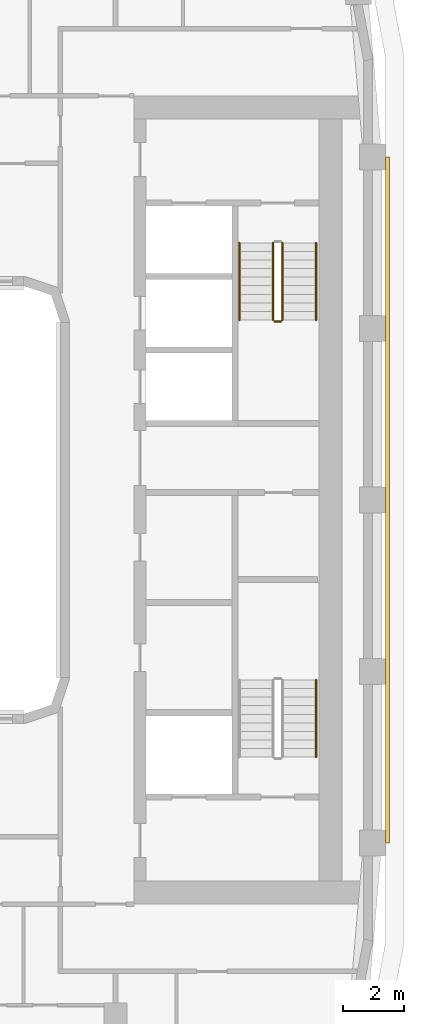
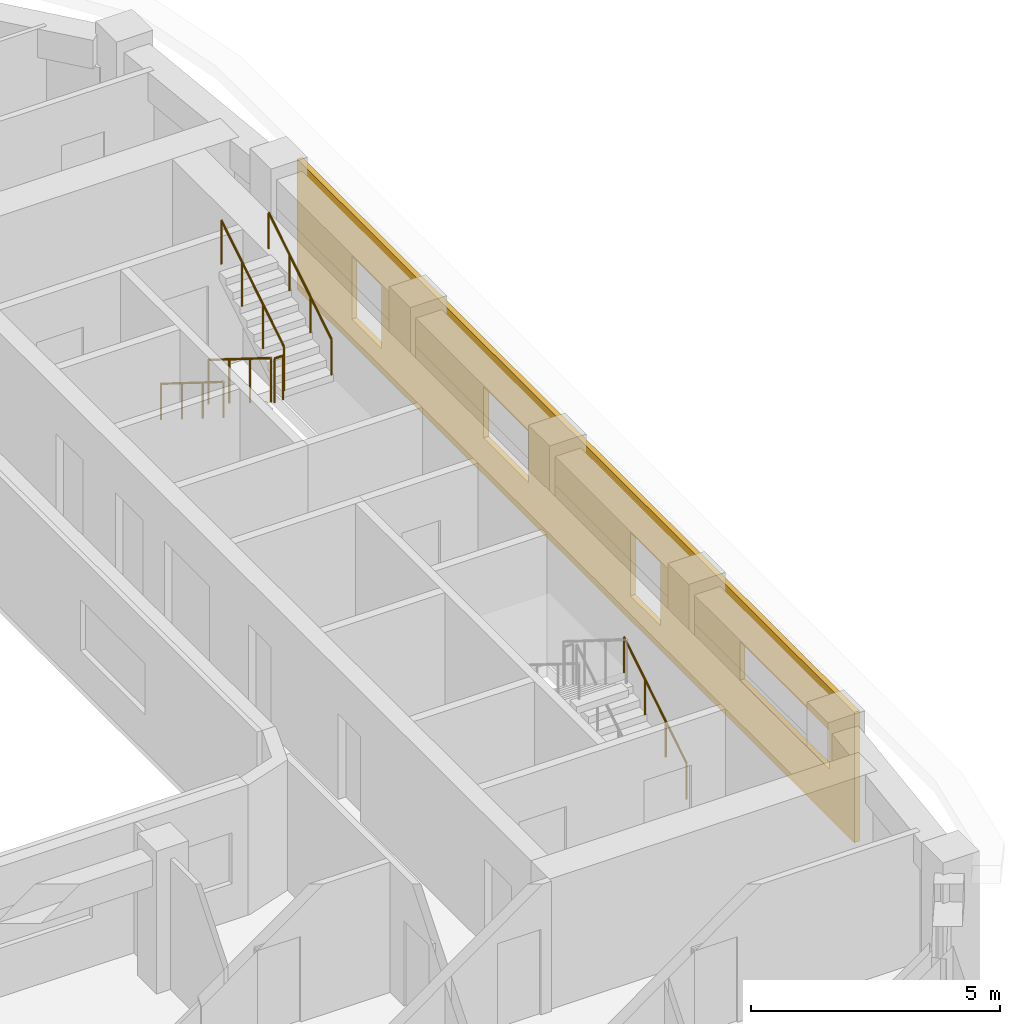
# One storey, part 18 of 21: 6 railings, 1 covering.
"""IFC4 building model written with IfcOpenShell, lengths in metres."""

from ifc_helpers import new_model, si_unit, direction, frame, origin, origin_2d, place, context, subcontext, project, spatial, polyline, circle, outline, extrude, material, layer, layer_set, type_object, element, save


model = new_model("IFC4")

# Units and contexts
model_context = context("Model", 3, precision=1e-05, world=origin(), true_north=direction((0.0, 1.0)))
body_context = subcontext(model_context, "Body", "Model", "MODEL_VIEW")
ifc_project = project(units=[si_unit("LENGTHUNIT", "METRE"), si_unit("AREAUNIT", "SQUARE_METRE"), si_unit("VOLUMEUNIT", "CUBIC_METRE"), si_unit("PLANEANGLEUNIT", "RADIAN"), si_unit("MASSUNIT", "GRAM", prefix="KILO")], contexts=[model_context])

# Site, building, storey
site_placement = place(None, origin())
site = spatial("IfcSite", under=ifc_project, at=site_placement, CompositionType="ELEMENT")
building_placement = place(site_placement, origin())
building = spatial("IfcBuilding", under=site, at=building_placement, Name="Kiln Ring Residences", CompositionType="ELEMENT")
storey_placement = place(building_placement, frame((0.0, 0.0, 220.39990234375)))
storey = spatial("IfcBuildingStorey", under=building, at=storey_placement, Name="L57", CompositionType="ELEMENT", Elevation=220.39990234375)

# Railings
ifc_material_1 = material(Name="Stainless steel", Category="steel")
railing_type_1 = type_object("IfcRailingType", Name="CORE-STAIR-GUARD", PredefinedType="GUARDRAIL", material=ifc_material_1)
railing_1_placement = place(storey_placement, frame((21.949951171875, 8.39990234375, 0.175048828125)))
element("IfcRailing", 1, at=railing_1_placement, inside=storey, type_object=railing_type_1, Name="L57 E-STN stair guard 1", PredefinedType="GUARDRAIL", context=body_context, shape_type="SweptSolid", body=[
    extrude(circle(Radius=0.02392578125, at=origin_2d()), frame((0.0, 0.0, 1.076171875), z_axis=(0.0, -0.848007534815, 0.529984170421), x_axis=(1.0, 0.0, 0.0)), (0.0, 0.0, 1.0), 2.9716796875),
    extrude(circle(Radius=0.02099609375, at=origin_2d()), origin(), (0.0, 0.0, 1.0), 1.052001953125),
    extrude(circle(Radius=0.02099609375, at=origin_2d()), frame((0.0, -0.840087890625, 0.52490234375)), (0.0, 0.0, 1.0), 1.052001953125),
    extrude(circle(Radius=0.02099609375, at=origin_2d()), frame((0.0, -1.679931640625, 1.050048828125)), (0.0, 0.0, 1.0), 1.052001953125),
    extrude(circle(Radius=0.02099609375, at=origin_2d()), frame((0.0, -2.52001953125, 1.574951171875)), (0.0, 0.0, 1.0), 1.052001953125),
])
railing_2_placement = place(storey_placement, frame((22.0, 5.830078125, 1.75)))
element("IfcRailing", 2, at=railing_2_placement, inside=storey, type_object=railing_type_1, Name="L57 E-STN stair guard 2", PredefinedType="GUARDRAIL", context=body_context, shape_type="SweptSolid", body=[
    extrude(circle(Radius=0.02392578125, at=origin_2d()), frame((0.0, 0.0, 1.076171875), z_axis=(1.0, 0.0, 0.0), x_axis=(0.0, 1.0, 0.0)), (0.0, 0.0, 1.0), 0.199951171875),
    extrude(circle(Radius=0.02099609375, at=origin_2d()), origin(), (0.0, 0.0, 1.0), 1.052001953125),
    extrude(circle(Radius=0.02099609375, at=origin_2d()), frame((0.199951171875, 0.0, 0.0)), (0.0, 0.0, 1.0), 1.052001953125),
])
railing_3_placement = place(storey_placement, frame((22.25, 5.8798828125, 1.925048828125)))
element("IfcRailing", 3, at=railing_3_placement, inside=storey, type_object=railing_type_1, Name="L57 E-STN stair guard 3", PredefinedType="GUARDRAIL", context=body_context, shape_type="SweptSolid", body=[
    extrude(circle(Radius=0.02392578125, at=origin_2d()), frame((0.0, 0.0, 1.076171875), z_axis=(0.0, 0.848007534815, 0.529984170421), x_axis=(-1.0, 0.0, 0.0)), (0.0, 0.0, 1.0), 2.9716796875),
    extrude(circle(Radius=0.02099609375, at=origin_2d()), origin(), (0.0, 0.0, 1.0), 1.052001953125),
    extrude(circle(Radius=0.02099609375, at=origin_2d()), frame((0.0, 0.840087890625, 0.52490234375)), (0.0, 0.0, 1.0), 1.052001953125),
    extrude(circle(Radius=0.02099609375, at=origin_2d()), frame((0.0, 1.679931640625, 1.050048828125)), (0.0, 0.0, 1.0), 1.052001953125),
    extrude(circle(Radius=0.02099609375, at=origin_2d()), frame((0.0, 2.52001953125, 1.574951171875)), (0.0, 0.0, 1.0), 1.052001953125),
])
ifc_material_2 = material(Name="Stainless steel", Category="steel")
railing_type_2 = type_object("IfcRailingType", Name="CORE-STAIR-HANDRAIL", PredefinedType="HANDRAIL", material=ifc_material_2)
railing_4_placement = place(storey_placement, frame((20.85009765625, 8.39990234375, 0.175048828125)))
element("IfcRailing", 4, at=railing_4_placement, inside=storey, type_object=railing_type_2, Name="L57 E-STN stair handrail 1", PredefinedType="HANDRAIL", context=body_context, shape_type="SweptSolid", body=[
    extrude(circle(Radius=0.02392578125, at=origin_2d()), frame((0.0, 0.0, 0.8759765625), z_axis=(0.0, -0.848007534815, 0.529984170421), x_axis=(1.0, 0.0, 0.0)), (0.0, 0.0, 1.0), 2.9716796875),
    extrude(circle(Radius=0.02099609375, at=origin_2d()), origin(), (0.0, 0.0, 1.0), 0.851806640625),
    extrude(circle(Radius=0.02099609375, at=origin_2d()), frame((0.0, -0.840087890625, 0.52490234375)), (0.0, 0.0, 1.0), 0.851806640625),
    extrude(circle(Radius=0.02099609375, at=origin_2d()), frame((0.0, -1.679931640625, 1.050048828125)), (0.0, 0.0, 1.0), 0.851806640625),
    extrude(circle(Radius=0.02099609375, at=origin_2d()), frame((0.0, -2.52001953125, 1.574951171875)), (0.0, 0.0, 1.0), 0.851806640625),
])
for number, where, name in (
    (5, (23.35009765625, 5.8798828125, 1.925048828125), "L57 E-STN stair handrail 2"),
    (6, (23.35009765625, -8.39990234375, 0.175048828125), "L57 E-STS stair handrail 1"),
):
    element("IfcRailing", number, at=place(storey_placement, frame(where)), inside=storey, type_object=railing_type_2, Name=name, PredefinedType="HANDRAIL", context=body_context, shape_type="SweptSolid", body=[
        extrude(circle(Radius=0.02392578125, at=origin_2d()), frame((0.0, 0.0, 0.8759765625), z_axis=(0.0, 0.848007534815, 0.529984170421), x_axis=(-1.0, 0.0, 0.0)), (0.0, 0.0, 1.0), 2.9716796875),
        extrude(circle(Radius=0.02099609375, at=origin_2d()), origin(), (0.0, 0.0, 1.0), 0.851806640625),
        extrude(circle(Radius=0.02099609375, at=origin_2d()), frame((0.0, 0.840087890625, 0.52490234375)), (0.0, 0.0, 1.0), 0.851806640625),
        extrude(circle(Radius=0.02099609375, at=origin_2d()), frame((0.0, 1.679931640625, 1.050048828125)), (0.0, 0.0, 1.0), 0.851806640625),
        extrude(circle(Radius=0.02099609375, at=origin_2d()), frame((0.0, 2.52001953125, 1.574951171875)), (0.0, 0.0, 1.0), 0.851806640625),
    ])

# Covering
ifc_material_3 = material(Name="Brick masonry, dark clay brick", Category="masonry")
ifc_layer = layer(ifc_material_3, 0.1201171875)
ifc_layer_set = layer_set([ifc_layer], Name="RAINSCREEN PANEL 120")
covering_type = type_object("IfcCoveringType", Name="RAINSCREEN PANEL 120", PredefinedType="CLADDING", material=ifc_layer_set)
covering_placement = place(storey_placement, frame((25.68505859375, -11.199951171875, 0.0), z_axis=(0.0, 0.0, 1.0), x_axis=(0.0, 1.0, 0.0)))
element("IfcCovering", 7, at=covering_placement, inside=storey, type_object=covering_type, Name="RAINSCREEN L57", PredefinedType="CLADDING", context=body_context, shape_type="SweptSolid", body=[
    extrude(outline(polyline([(0.0, 0.0), (22.39990234375, 0.0), (22.39990234375, 3.2001953125), (0.0, 3.2001953125), (0.0, 0.0)]), holes=[polyline([(9.0, 0.60009765625), (9.0, 2.150146484375), (7.800048828125, 2.150146484375), (7.800048828125, 0.60009765625), (9.0, 0.60009765625)]), polyline([(20.199951171875, 0.60009765625), (20.199951171875, 2.150146484375), (19.0, 2.150146484375), (19.0, 0.60009765625), (20.199951171875, 0.60009765625)]), polyline([(14.89990234375, 0.900146484375), (14.89990234375, 2.150146484375), (13.10009765625, 2.150146484375), (13.10009765625, 0.900146484375), (14.89990234375, 0.900146484375)]), polyline([(4.60009765625, 1.2001953125), (4.60009765625, 2.150146484375), (1.0, 2.150146484375), (1.0, 1.2001953125), (4.60009765625, 1.2001953125)])]), frame((0.0, 0.06005859375, 0.0), z_axis=(0.0, -1.0, 0.0), x_axis=(1.0, 0.0, 0.0)), (0.0, 0.0, 1.0), 0.1201171875),
])

save(model, "model.ifc")
